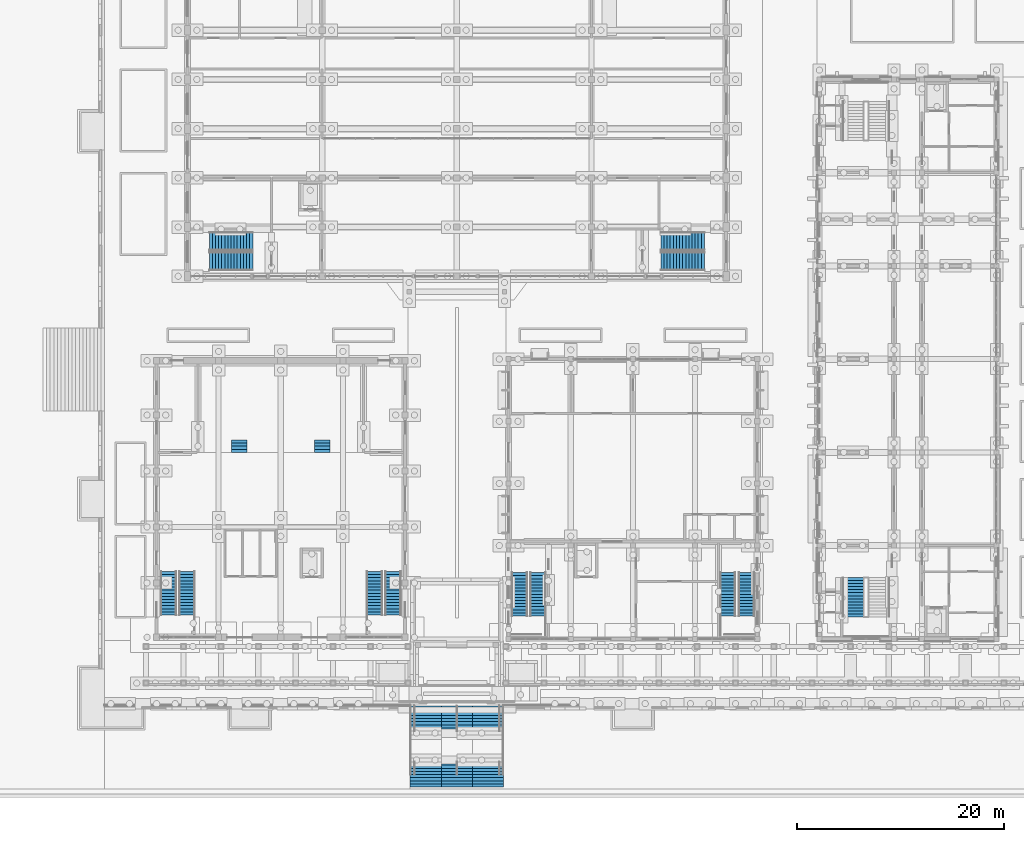
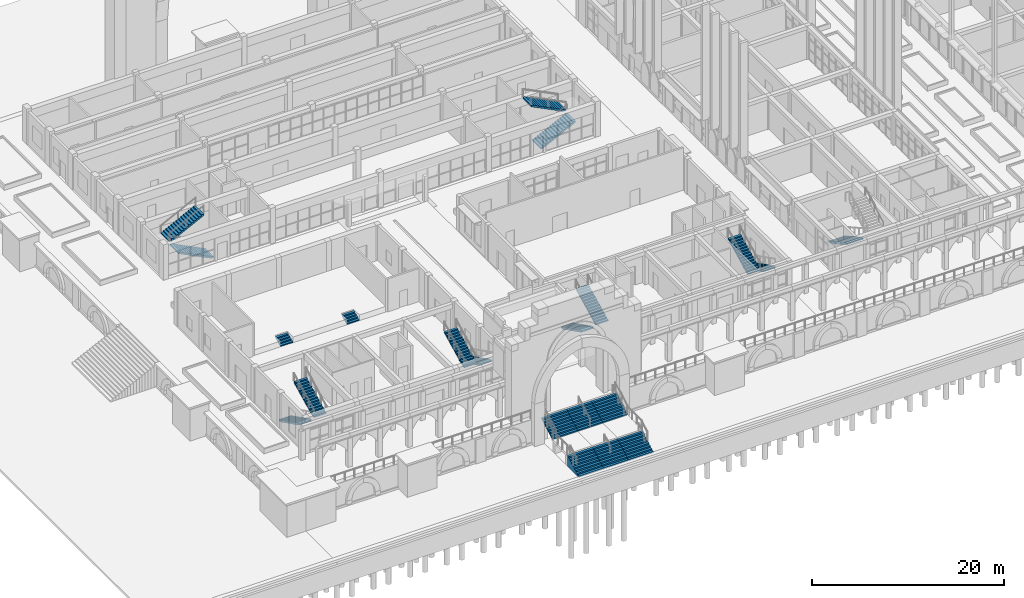
# One storey, part 75 of 161: 21 stair flights, 12 elements without a shape of their own.
"""IFC4 building model written with IfcOpenShell, lengths in metres."""

from ifc_helpers import new_model, si_unit, direction, frame, origin, place, context, subcontext, project, spatial, polyline, outline, extrude, material, layer, layer_set, type_object, element, aggregate, save


model = new_model("IFC4")

# Units and contexts
model_context = context("Model", 3, precision=1e-05, world=origin(), true_north=direction((0.0, 1.0)))
body_context = subcontext(model_context, "Body", "Model", "MODEL_VIEW")
ifc_project = project(units=[si_unit("LENGTHUNIT", "METRE"), si_unit("AREAUNIT", "SQUARE_METRE"), si_unit("VOLUMEUNIT", "CUBIC_METRE"), si_unit("PLANEANGLEUNIT", "RADIAN"), si_unit("MASSUNIT", "GRAM", prefix="KILO")], contexts=[model_context])

# Site, building, storey
site_placement = place(None, origin())
site = spatial("IfcSite", under=ifc_project, at=site_placement, CompositionType="ELEMENT")
building_placement = place(site_placement, origin())
building = spatial("IfcBuilding", under=site, at=building_placement, Name="Elbe Cascade School", CompositionType="ELEMENT")
storey_placement = place(building_placement, origin())
storey = spatial("IfcBuildingStorey", under=building, at=storey_placement, Name="L00", CompositionType="ELEMENT", Elevation=0.0)

# Stair, stair flight
ifc_material_1 = material(Name="Concrete C30/37", Category="concrete")
stair_type_1 = type_object("IfcStairType", Name="Assembly hall stage steps", PredefinedType="STRAIGHT_RUN_STAIR", material=ifc_material_1)
stair_1_placement = place(storey_placement, origin())
stair_1 = element("IfcStair", 1, at=stair_1_placement, inside=storey, type_object=stair_type_1, Name="Assembly hall stage steps ST6", PredefinedType="STRAIGHT_RUN_STAIR")
ifc_material_2 = material(Name="Concrete C30/37", Category="concrete")
stair_flight_type_1 = type_object("IfcStairFlightType", Name="Assembly hall stage steps flight", PredefinedType="STRAIGHT", material=ifc_material_2)
stair_flight_1_placement = place(storey_placement, frame((13.0, 24.0, 0.0), z_axis=(0.0, 0.0, 1.0), x_axis=(0.0, 1.0, 0.0)))
stair_flight_1 = element("IfcStairFlight", 2, at=stair_flight_1_placement, type_object=stair_flight_type_1, Name="ST6 flight 1", NumberOfRisers=5, NumberOfTreads=4, PredefinedType="STRAIGHT", RiserHeight=0.144, TreadLength=0.3, context=body_context, shape_type="SweptSolid", body=[
    extrude(outline(polyline([(0.0, 0.0), (0.0, 0.14404296875), (0.300048828125, 0.14404296875), (0.300048828125, 0.2880859375), (0.60009765625, 0.2880859375), (0.60009765625, 0.431884765625), (0.89990234375, 0.431884765625), (0.89990234375, 0.575927734375), (1.199951171875, 0.575927734375), (1.199951171875, 0.719970703125), (1.199951171875, 0.531494140625), (0.092529296875, 0.0), (0.0, 0.0)])), frame((0.0, 0.75, 0.0), z_axis=(0.0, -1.0, 0.0), x_axis=(1.0, 0.0, 0.0)), (0.0, 0.0, 1.0), 1.5),
])
aggregate(stair_1, [stair_flight_1])

stair_2_placement = place(storey_placement, origin())
stair_2 = element("IfcStair", 3, at=stair_2_placement, inside=storey, type_object=stair_type_1, Name="Assembly hall stage steps ST6", PredefinedType="STRAIGHT_RUN_STAIR")
stair_flight_2_placement = place(storey_placement, frame((21.0, 24.0, 0.0), z_axis=(0.0, 0.0, 1.0), x_axis=(0.0, 1.0, 0.0)))
stair_flight_2 = element("IfcStairFlight", 4, at=stair_flight_2_placement, type_object=stair_flight_type_1, Name="ST6 flight 1", NumberOfRisers=5, NumberOfTreads=4, PredefinedType="STRAIGHT", RiserHeight=0.144, TreadLength=0.3, context=body_context, shape_type="SweptSolid", body=[
    extrude(outline(polyline([(0.0, 0.0), (0.0, 0.14404296875), (0.300048828125, 0.14404296875), (0.300048828125, 0.2880859375), (0.60009765625, 0.2880859375), (0.60009765625, 0.431884765625), (0.89990234375, 0.431884765625), (0.89990234375, 0.575927734375), (1.199951171875, 0.575927734375), (1.199951171875, 0.719970703125), (1.199951171875, 0.531494140625), (0.092529296875, 0.0), (0.0, 0.0)])), frame((0.0, 0.75, 0.0), z_axis=(0.0, -1.0, 0.0), x_axis=(1.0, 0.0, 0.0)), (0.0, 0.0, 1.0), 1.5),
])
aggregate(stair_2, [stair_flight_2])

# Stair, stair flights
ifc_material_3 = material(Name="Concrete C30/37", Category="concrete")
stair_type_2 = type_object("IfcStairType", Name="Assembly hall dogleg stair", PredefinedType="HALF_TURN_STAIR", material=ifc_material_3)
stair_3_placement = place(storey_placement, origin())
stair_3 = element("IfcStair", 5, at=stair_3_placement, inside=storey, type_object=stair_type_2, Name="Assembly hall dogleg stair ST5", PredefinedType="HALF_TURN_STAIR")
ifc_material_4 = material(Name="Concrete C30/37", Category="concrete")
stair_flight_type_2 = type_object("IfcStairFlightType", Name="Assembly hall stair flight", PredefinedType="STRAIGHT", material=ifc_material_4)
stair_flight_3_placement = place(storey_placement, frame((6.14990234375, 12.5, 0.0), z_axis=(0.0, 0.0, 1.0), x_axis=(0.0, -1.0, 0.0)))
stair_flight_3 = element("IfcStairFlight", 6, at=stair_flight_3_placement, type_object=stair_flight_type_2, Name="ST5 flight 1", NumberOfRisers=15, NumberOfTreads=14, PredefinedType="STRAIGHT", RiserHeight=0.15, TreadLength=0.3, context=body_context, shape_type="SweptSolid", body=[
    extrude(outline(polyline([(0.0, 0.0), (0.0, 0.14990234375), (0.300048828125, 0.14990234375), (0.300048828125, 0.300048828125), (0.60009765625, 0.300048828125), (0.60009765625, 0.449951171875), (0.89990234375, 0.449951171875), (0.89990234375, 0.60009765625), (1.199951171875, 0.60009765625), (1.199951171875, 0.75), (1.5, 0.75), (1.5, 0.89990234375), (1.800048828125, 0.89990234375), (1.800048828125, 1.050048828125), (2.10009765625, 1.050048828125), (2.10009765625, 1.199951171875), (2.39990234375, 1.199951171875), (2.39990234375, 1.35009765625), (2.699951171875, 1.35009765625), (2.699951171875, 1.5), (3.0, 1.5), (3.0, 1.64990234375), (3.300048828125, 1.64990234375), (3.300048828125, 1.800048828125), (3.60009765625, 1.800048828125), (3.60009765625, 1.949951171875), (3.89990234375, 1.949951171875), (3.89990234375, 2.10009765625), (4.199951171875, 2.10009765625), (4.199951171875, 2.25), (4.199951171875, 1.932373046875), (0.335205078125, 0.0), (0.0, 0.0)])), frame((0.0, 0.75, 0.0), z_axis=(0.0, -1.0, 0.0), x_axis=(1.0, 0.0, 0.0)), (0.0, 0.0, 1.0), 1.5),
])
stair_flight_4_placement = place(storey_placement, frame((7.949951171875, 8.300048828125, 2.25), z_axis=(0.0, 0.0, 1.0), x_axis=(0.0, 1.0, 0.0)))
stair_flight_4 = element("IfcStairFlight", 7, at=stair_flight_4_placement, type_object=stair_flight_type_2, Name="ST5 flight 2", NumberOfRisers=15, NumberOfTreads=14, PredefinedType="STRAIGHT", RiserHeight=0.15, TreadLength=0.3, context=body_context, shape_type="SweptSolid", body=[
    extrude(outline(polyline([(0.0, 0.0), (0.0, 0.14990234375), (0.300048828125, 0.14990234375), (0.300048828125, 0.300048828125), (0.60009765625, 0.300048828125), (0.60009765625, 0.449951171875), (0.89990234375, 0.449951171875), (0.89990234375, 0.60009765625), (1.199951171875, 0.60009765625), (1.199951171875, 0.75), (1.5, 0.75), (1.5, 0.89990234375), (1.800048828125, 0.89990234375), (1.800048828125, 1.050048828125), (2.10009765625, 1.050048828125), (2.10009765625, 1.199951171875), (2.39990234375, 1.199951171875), (2.39990234375, 1.35009765625), (2.699951171875, 1.35009765625), (2.699951171875, 1.5), (3.0, 1.5), (3.0, 1.64990234375), (3.300048828125, 1.64990234375), (3.300048828125, 1.800048828125), (3.60009765625, 1.800048828125), (3.60009765625, 1.949951171875), (3.89990234375, 1.949951171875), (3.89990234375, 2.10009765625), (4.199951171875, 2.10009765625), (4.199951171875, 2.25), (4.199951171875, 1.932373046875), (0.335205078125, 0.0), (0.0, 0.0)])), frame((0.0, 0.75, 0.0), z_axis=(0.0, -1.0, 0.0), x_axis=(1.0, 0.0, 0.0)), (0.0, 0.0, 1.0), 1.5),
])
aggregate(stair_3, [stair_flight_3, stair_flight_4])

stair_4_placement = place(storey_placement, origin())
stair_4 = element("IfcStair", 8, at=stair_4_placement, inside=storey, type_object=stair_type_2, Name="Assembly hall dogleg stair ST5", PredefinedType="HALF_TURN_STAIR")
stair_flight_5_placement = place(storey_placement, frame((27.85009765625, 12.5, 0.0), z_axis=(0.0, 0.0, 1.0), x_axis=(0.0, -1.0, 0.0)))
stair_flight_5 = element("IfcStairFlight", 9, at=stair_flight_5_placement, type_object=stair_flight_type_2, Name="ST5 flight 1", NumberOfRisers=15, NumberOfTreads=14, PredefinedType="STRAIGHT", RiserHeight=0.15, TreadLength=0.3, context=body_context, shape_type="SweptSolid", body=[
    extrude(outline(polyline([(0.0, 0.0), (0.0, 0.14990234375), (0.300048828125, 0.14990234375), (0.300048828125, 0.300048828125), (0.60009765625, 0.300048828125), (0.60009765625, 0.449951171875), (0.89990234375, 0.449951171875), (0.89990234375, 0.60009765625), (1.199951171875, 0.60009765625), (1.199951171875, 0.75), (1.5, 0.75), (1.5, 0.89990234375), (1.800048828125, 0.89990234375), (1.800048828125, 1.050048828125), (2.10009765625, 1.050048828125), (2.10009765625, 1.199951171875), (2.39990234375, 1.199951171875), (2.39990234375, 1.35009765625), (2.699951171875, 1.35009765625), (2.699951171875, 1.5), (3.0, 1.5), (3.0, 1.64990234375), (3.300048828125, 1.64990234375), (3.300048828125, 1.800048828125), (3.60009765625, 1.800048828125), (3.60009765625, 1.949951171875), (3.89990234375, 1.949951171875), (3.89990234375, 2.10009765625), (4.199951171875, 2.10009765625), (4.199951171875, 2.25), (4.199951171875, 1.932373046875), (0.335205078125, 0.0), (0.0, 0.0)])), frame((0.0, 0.75, 0.0), z_axis=(0.0, -1.0, 0.0), x_axis=(1.0, 0.0, 0.0)), (0.0, 0.0, 1.0), 1.5),
])
stair_flight_6_placement = place(storey_placement, frame((26.050048828125, 8.300048828125, 2.25), z_axis=(0.0, 0.0, 1.0), x_axis=(0.0, 1.0, 0.0)))
stair_flight_6 = element("IfcStairFlight", 10, at=stair_flight_6_placement, type_object=stair_flight_type_2, Name="ST5 flight 2", NumberOfRisers=15, NumberOfTreads=14, PredefinedType="STRAIGHT", RiserHeight=0.15, TreadLength=0.3, context=body_context, shape_type="SweptSolid", body=[
    extrude(outline(polyline([(0.0, 0.0), (0.0, 0.14990234375), (0.300048828125, 0.14990234375), (0.300048828125, 0.300048828125), (0.60009765625, 0.300048828125), (0.60009765625, 0.449951171875), (0.89990234375, 0.449951171875), (0.89990234375, 0.60009765625), (1.199951171875, 0.60009765625), (1.199951171875, 0.75), (1.5, 0.75), (1.5, 0.89990234375), (1.800048828125, 0.89990234375), (1.800048828125, 1.050048828125), (2.10009765625, 1.050048828125), (2.10009765625, 1.199951171875), (2.39990234375, 1.199951171875), (2.39990234375, 1.35009765625), (2.699951171875, 1.35009765625), (2.699951171875, 1.5), (3.0, 1.5), (3.0, 1.64990234375), (3.300048828125, 1.64990234375), (3.300048828125, 1.800048828125), (3.60009765625, 1.800048828125), (3.60009765625, 1.949951171875), (3.89990234375, 1.949951171875), (3.89990234375, 2.10009765625), (4.199951171875, 2.10009765625), (4.199951171875, 2.25), (4.199951171875, 1.932373046875), (0.335205078125, 0.0), (0.0, 0.0)])), frame((0.0, 0.75, 0.0), z_axis=(0.0, -1.0, 0.0), x_axis=(1.0, 0.0, 0.0)), (0.0, 0.0, 1.0), 1.5),
])
aggregate(stair_4, [stair_flight_5, stair_flight_6])

# Stair, stair flight
ifc_material_5 = material(Name="Concrete C30/37", Category="concrete")
stair_type_3 = type_object("IfcStairType", Name="Bar stair RC 150", PredefinedType="HALF_TURN_STAIR", material=ifc_material_5)
stair_5_placement = place(storey_placement, origin())
stair_5 = element("IfcStair", 11, at=stair_5_placement, inside=storey, type_object=stair_type_3, Name="Stair A0.S", PredefinedType="HALF_TURN_STAIR")
ifc_material_6 = material(Name="Concrete C30/37", Category="concrete")
stair_flight_type_3 = type_object("IfcStairFlightType", Name="Bar stair flight RC", PredefinedType="STRAIGHT", material=ifc_material_6)
stair_flight_7_placement = place(storey_placement, frame((72.27490234375, 11.89990234375, 0.0), z_axis=(0.0, 0.0, 1.0), x_axis=(0.0, -1.0, 0.0)))
stair_flight_7 = element("IfcStairFlight", 12, at=stair_flight_7_placement, type_object=stair_flight_type_3, Name="ST3 flight 1", NumberOfRisers=14, NumberOfTreads=13, PredefinedType="STRAIGHT", RiserHeight=0.160714286, TreadLength=0.29, context=body_context, shape_type="SweptSolid", body=[
    extrude(outline(polyline([(0.0, 0.0), (0.0, 0.16064453125), (0.2900390625, 0.16064453125), (0.2900390625, 0.321533203125), (0.580078125, 0.321533203125), (0.580078125, 0.482177734375), (0.8701171875, 0.482177734375), (0.8701171875, 0.642822265625), (1.159912109375, 0.642822265625), (1.159912109375, 0.803466796875), (1.449951171875, 0.803466796875), (1.449951171875, 0.96435546875), (1.739990234375, 0.96435546875), (1.739990234375, 1.125), (2.030029296875, 1.125), (2.030029296875, 1.28564453125), (2.320068359375, 1.28564453125), (2.320068359375, 1.446533203125), (2.610107421875, 1.446533203125), (2.610107421875, 1.607177734375), (2.89990234375, 1.607177734375), (2.89990234375, 1.767822265625), (3.18994140625, 1.767822265625), (3.18994140625, 1.928466796875), (3.47998046875, 1.928466796875), (3.47998046875, 2.08935546875), (3.77001953125, 2.08935546875), (3.77001953125, 2.25), (3.77001953125, 1.91796875), (0.309326171875, 0.0), (0.0, 0.0)])), frame((0.0, 0.97509765625, 0.0), z_axis=(0.0, -1.0, 0.0), x_axis=(1.0, 0.0, 0.0)), (0.0, 0.0, 1.0), 1.949951171875),
])
aggregate(stair_5, [stair_flight_7])

# Stair, stair flights
ifc_material_7 = material(Name="Concrete C30/37", Category="concrete")
stair_type_4 = type_object("IfcStairType", Name="Cafe wing dogleg stair", PredefinedType="HALF_TURN_STAIR", material=ifc_material_7)
stair_6_placement = place(storey_placement, origin())
stair_6 = element("IfcStair", 13, at=stair_6_placement, inside=storey, type_object=stair_type_4, Name="Cafe wing dogleg stair ST7", PredefinedType="HALF_TURN_STAIR")
ifc_material_8 = material(Name="Concrete C30/37", Category="concrete")
stair_flight_type_4 = type_object("IfcStairFlightType", Name="Cafe wing stair flight", PredefinedType="STRAIGHT", material=ifc_material_8)
stair_flight_8_placement = place(storey_placement, frame((40.050048828125, 12.39990234375, 0.0), z_axis=(0.0, 0.0, 1.0), x_axis=(0.0, -1.0, 0.0)))
stair_flight_8 = element("IfcStairFlight", 14, at=stair_flight_8_placement, type_object=stair_flight_type_4, Name="ST7 flight 1", NumberOfRisers=15, NumberOfTreads=14, PredefinedType="STRAIGHT", RiserHeight=0.15, TreadLength=0.3, context=body_context, shape_type="SweptSolid", body=[
    extrude(outline(polyline([(0.0, 0.0), (0.0, 0.14990234375), (0.300048828125, 0.14990234375), (0.300048828125, 0.300048828125), (0.60009765625, 0.300048828125), (0.60009765625, 0.449951171875), (0.89990234375, 0.449951171875), (0.89990234375, 0.60009765625), (1.199951171875, 0.60009765625), (1.199951171875, 0.75), (1.5, 0.75), (1.5, 0.89990234375), (1.800048828125, 0.89990234375), (1.800048828125, 1.050048828125), (2.10009765625, 1.050048828125), (2.10009765625, 1.199951171875), (2.39990234375, 1.199951171875), (2.39990234375, 1.35009765625), (2.699951171875, 1.35009765625), (2.699951171875, 1.5), (3.0, 1.5), (3.0, 1.64990234375), (3.300048828125, 1.64990234375), (3.300048828125, 1.800048828125), (3.60009765625, 1.800048828125), (3.60009765625, 1.949951171875), (3.89990234375, 1.949951171875), (3.89990234375, 2.10009765625), (4.199951171875, 2.10009765625), (4.199951171875, 2.25), (4.199951171875, 1.932373046875), (0.335205078125, 0.0), (0.0, 0.0)])), frame((0.0, 0.75, 0.0), z_axis=(0.0, -1.0, 0.0), x_axis=(1.0, 0.0, 0.0)), (0.0, 0.0, 1.0), 1.5),
])
stair_flight_9_placement = place(storey_placement, frame((41.85009765625, 8.199951171875, 2.25), z_axis=(0.0, 0.0, 1.0), x_axis=(0.0, 1.0, 0.0)))
stair_flight_9 = element("IfcStairFlight", 15, at=stair_flight_9_placement, type_object=stair_flight_type_4, Name="ST7 flight 2", NumberOfRisers=15, NumberOfTreads=14, PredefinedType="STRAIGHT", RiserHeight=0.15, TreadLength=0.3, context=body_context, shape_type="SweptSolid", body=[
    extrude(outline(polyline([(0.0, 0.0), (0.0, 0.14990234375), (0.300048828125, 0.14990234375), (0.300048828125, 0.300048828125), (0.60009765625, 0.300048828125), (0.60009765625, 0.449951171875), (0.89990234375, 0.449951171875), (0.89990234375, 0.60009765625), (1.199951171875, 0.60009765625), (1.199951171875, 0.75), (1.5, 0.75), (1.5, 0.89990234375), (1.800048828125, 0.89990234375), (1.800048828125, 1.050048828125), (2.10009765625, 1.050048828125), (2.10009765625, 1.199951171875), (2.39990234375, 1.199951171875), (2.39990234375, 1.35009765625), (2.699951171875, 1.35009765625), (2.699951171875, 1.5), (3.0, 1.5), (3.0, 1.64990234375), (3.300048828125, 1.64990234375), (3.300048828125, 1.800048828125), (3.60009765625, 1.800048828125), (3.60009765625, 1.949951171875), (3.89990234375, 1.949951171875), (3.89990234375, 2.10009765625), (4.199951171875, 2.10009765625), (4.199951171875, 2.25), (4.199951171875, 1.932373046875), (0.335205078125, 0.0), (0.0, 0.0)])), frame((0.0, 0.75, 0.0), z_axis=(0.0, -1.0, 0.0), x_axis=(1.0, 0.0, 0.0)), (0.0, 0.0, 1.0), 1.5),
])
aggregate(stair_6, [stair_flight_8, stair_flight_9])

stair_7_placement = place(storey_placement, origin())
stair_7 = element("IfcStair", 16, at=stair_7_placement, inside=storey, type_object=stair_type_4, Name="Cafe wing dogleg stair ST7", PredefinedType="HALF_TURN_STAIR")
stair_flight_10_placement = place(storey_placement, frame((61.949951171875, 12.39990234375, 0.0), z_axis=(0.0, 0.0, 1.0), x_axis=(0.0, -1.0, 0.0)))
stair_flight_10 = element("IfcStairFlight", 17, at=stair_flight_10_placement, type_object=stair_flight_type_4, Name="ST7 flight 1", NumberOfRisers=15, NumberOfTreads=14, PredefinedType="STRAIGHT", RiserHeight=0.15, TreadLength=0.3, context=body_context, shape_type="SweptSolid", body=[
    extrude(outline(polyline([(0.0, 0.0), (0.0, 0.14990234375), (0.300048828125, 0.14990234375), (0.300048828125, 0.300048828125), (0.60009765625, 0.300048828125), (0.60009765625, 0.449951171875), (0.89990234375, 0.449951171875), (0.89990234375, 0.60009765625), (1.199951171875, 0.60009765625), (1.199951171875, 0.75), (1.5, 0.75), (1.5, 0.89990234375), (1.800048828125, 0.89990234375), (1.800048828125, 1.050048828125), (2.10009765625, 1.050048828125), (2.10009765625, 1.199951171875), (2.39990234375, 1.199951171875), (2.39990234375, 1.35009765625), (2.699951171875, 1.35009765625), (2.699951171875, 1.5), (3.0, 1.5), (3.0, 1.64990234375), (3.300048828125, 1.64990234375), (3.300048828125, 1.800048828125), (3.60009765625, 1.800048828125), (3.60009765625, 1.949951171875), (3.89990234375, 1.949951171875), (3.89990234375, 2.10009765625), (4.199951171875, 2.10009765625), (4.199951171875, 2.25), (4.199951171875, 1.932373046875), (0.335205078125, 0.0), (0.0, 0.0)])), frame((0.0, 0.75, 0.0), z_axis=(0.0, -1.0, 0.0), x_axis=(1.0, 0.0, 0.0)), (0.0, 0.0, 1.0), 1.5),
])
stair_flight_11_placement = place(storey_placement, frame((60.14990234375, 8.199951171875, 2.25), z_axis=(0.0, 0.0, 1.0), x_axis=(0.0, 1.0, 0.0)))
stair_flight_11 = element("IfcStairFlight", 18, at=stair_flight_11_placement, type_object=stair_flight_type_4, Name="ST7 flight 2", NumberOfRisers=15, NumberOfTreads=14, PredefinedType="STRAIGHT", RiserHeight=0.15, TreadLength=0.3, context=body_context, shape_type="SweptSolid", body=[
    extrude(outline(polyline([(0.0, 0.0), (0.0, 0.14990234375), (0.300048828125, 0.14990234375), (0.300048828125, 0.300048828125), (0.60009765625, 0.300048828125), (0.60009765625, 0.449951171875), (0.89990234375, 0.449951171875), (0.89990234375, 0.60009765625), (1.199951171875, 0.60009765625), (1.199951171875, 0.75), (1.5, 0.75), (1.5, 0.89990234375), (1.800048828125, 0.89990234375), (1.800048828125, 1.050048828125), (2.10009765625, 1.050048828125), (2.10009765625, 1.199951171875), (2.39990234375, 1.199951171875), (2.39990234375, 1.35009765625), (2.699951171875, 1.35009765625), (2.699951171875, 1.5), (3.0, 1.5), (3.0, 1.64990234375), (3.300048828125, 1.64990234375), (3.300048828125, 1.800048828125), (3.60009765625, 1.800048828125), (3.60009765625, 1.949951171875), (3.89990234375, 1.949951171875), (3.89990234375, 2.10009765625), (4.199951171875, 2.10009765625), (4.199951171875, 2.25), (4.199951171875, 1.932373046875), (0.335205078125, 0.0), (0.0, 0.0)])), frame((0.0, 0.75, 0.0), z_axis=(0.0, -1.0, 0.0), x_axis=(1.0, 0.0, 0.0)), (0.0, 0.0, 1.0), 1.5),
])
aggregate(stair_7, [stair_flight_10, stair_flight_11])

ifc_material_9 = material(Name="Concrete C30/37", Category="concrete")
stair_type_5 = type_object("IfcStairType", Name="Hall exit stair Concrete C30/37", PredefinedType="HALF_TURN_STAIR", material=ifc_material_9)
stair_8_placement = place(storey_placement, origin())
stair_8 = element("IfcStair", 19, at=stair_8_placement, inside=storey, type_object=stair_type_5, Name="Exit stair W", PredefinedType="HALF_TURN_STAIR")
ifc_material_10 = material(Name="Concrete C30/37", Category="concrete")
ifc_layer = layer(ifc_material_10, 0.14990234375)
ifc_layer_set = layer_set([ifc_layer], Name="Concrete C30/37")
stair_flight_type_5 = type_object("IfcStairFlightType", Name="Hall stair flight Concrete C30/37", PredefinedType="STRAIGHT", material=ifc_layer_set)
stair_flight_12_placement = place(storey_placement, frame((14.300048828125, 42.449951171875, 0.0), z_axis=(0.0, 0.0, 1.0), x_axis=(-1.0, 0.0, 0.0)))
stair_flight_12 = element("IfcStairFlight", 20, at=stair_flight_12_placement, type_object=stair_flight_type_5, Name="ST4 flight 1", NumberOfRisers=15, NumberOfTreads=14, PredefinedType="STRAIGHT", RiserHeight=0.15, TreadLength=0.3, context=body_context, shape_type="SweptSolid", body=[
    extrude(outline(polyline([(0.0, 0.0), (0.0, 0.14990234375), (0.300048828125, 0.14990234375), (0.300048828125, 0.300048828125), (0.60009765625, 0.300048828125), (0.60009765625, 0.449951171875), (0.89990234375, 0.449951171875), (0.89990234375, 0.60009765625), (1.199951171875, 0.60009765625), (1.199951171875, 0.75), (1.5, 0.75), (1.5, 0.89990234375), (1.800048828125, 0.89990234375), (1.800048828125, 1.050048828125), (2.10009765625, 1.050048828125), (2.10009765625, 1.199951171875), (2.39990234375, 1.199951171875), (2.39990234375, 1.35009765625), (2.699951171875, 1.35009765625), (2.699951171875, 1.5), (3.0, 1.5), (3.0, 1.64990234375), (3.300048828125, 1.64990234375), (3.300048828125, 1.800048828125), (3.60009765625, 1.800048828125), (3.60009765625, 1.949951171875), (3.89990234375, 1.949951171875), (3.89990234375, 2.10009765625), (4.199951171875, 2.10009765625), (4.199951171875, 2.25), (4.199951171875, 1.932373046875), (0.335205078125, 0.0), (0.0, 0.0)])), frame((0.0, 0.89990234375, 0.0), z_axis=(0.0, -1.0, 0.0), x_axis=(1.0, 0.0, 0.0)), (0.0, 0.0, 1.0), 1.800048828125),
])
stair_flight_13_placement = place(storey_placement, frame((10.10009765625, 44.39990234375, 2.25), z_axis=(0.0, 0.0, 1.0), x_axis=(1.0, 0.0, 0.0)))
stair_flight_13 = element("IfcStairFlight", 21, at=stair_flight_13_placement, type_object=stair_flight_type_5, Name="ST4 flight 2", NumberOfRisers=15, NumberOfTreads=14, PredefinedType="STRAIGHT", RiserHeight=0.15, TreadLength=0.3, context=body_context, shape_type="SweptSolid", body=[
    extrude(outline(polyline([(0.0, 0.0), (0.0, 0.14990234375), (0.300048828125, 0.14990234375), (0.300048828125, 0.300048828125), (0.60009765625, 0.300048828125), (0.60009765625, 0.449951171875), (0.89990234375, 0.449951171875), (0.89990234375, 0.60009765625), (1.199951171875, 0.60009765625), (1.199951171875, 0.75), (1.5, 0.75), (1.5, 0.89990234375), (1.800048828125, 0.89990234375), (1.800048828125, 1.050048828125), (2.10009765625, 1.050048828125), (2.10009765625, 1.199951171875), (2.39990234375, 1.199951171875), (2.39990234375, 1.35009765625), (2.699951171875, 1.35009765625), (2.699951171875, 1.5), (3.0, 1.5), (3.0, 1.64990234375), (3.300048828125, 1.64990234375), (3.300048828125, 1.800048828125), (3.60009765625, 1.800048828125), (3.60009765625, 1.949951171875), (3.89990234375, 1.949951171875), (3.89990234375, 2.10009765625), (4.199951171875, 2.10009765625), (4.199951171875, 2.25), (4.199951171875, 1.932373046875), (0.335205078125, 0.0), (0.0, 0.0)])), frame((0.0, 0.89990234375, 0.0), z_axis=(0.0, -1.0, 0.0), x_axis=(1.0, 0.0, 0.0)), (0.0, 0.0, 1.0), 1.800048828125),
])
aggregate(stair_8, [stair_flight_12, stair_flight_13])

stair_9_placement = place(storey_placement, origin())
stair_9 = element("IfcStair", 22, at=stair_9_placement, inside=storey, type_object=stair_type_5, Name="Exit stair E", PredefinedType="HALF_TURN_STAIR")
stair_flight_14_placement = place(storey_placement, frame((53.699951171875, 42.449951171875, 0.0), z_axis=(0.0, 0.0, 1.0), x_axis=(1.0, 0.0, 0.0)))
stair_flight_14 = element("IfcStairFlight", 23, at=stair_flight_14_placement, type_object=stair_flight_type_5, Name="ST4 flight 1", NumberOfRisers=15, NumberOfTreads=14, PredefinedType="STRAIGHT", RiserHeight=0.15, TreadLength=0.3, context=body_context, shape_type="SweptSolid", body=[
    extrude(outline(polyline([(0.0, 0.0), (0.0, 0.14990234375), (0.300048828125, 0.14990234375), (0.300048828125, 0.300048828125), (0.60009765625, 0.300048828125), (0.60009765625, 0.449951171875), (0.89990234375, 0.449951171875), (0.89990234375, 0.60009765625), (1.199951171875, 0.60009765625), (1.199951171875, 0.75), (1.5, 0.75), (1.5, 0.89990234375), (1.800048828125, 0.89990234375), (1.800048828125, 1.050048828125), (2.10009765625, 1.050048828125), (2.10009765625, 1.199951171875), (2.39990234375, 1.199951171875), (2.39990234375, 1.35009765625), (2.699951171875, 1.35009765625), (2.699951171875, 1.5), (3.0, 1.5), (3.0, 1.64990234375), (3.300048828125, 1.64990234375), (3.300048828125, 1.800048828125), (3.60009765625, 1.800048828125), (3.60009765625, 1.949951171875), (3.89990234375, 1.949951171875), (3.89990234375, 2.10009765625), (4.199951171875, 2.10009765625), (4.199951171875, 2.25), (4.199951171875, 1.932373046875), (0.335205078125, 0.0), (0.0, 0.0)])), frame((0.0, 0.89990234375, 0.0), z_axis=(0.0, -1.0, 0.0), x_axis=(1.0, 0.0, 0.0)), (0.0, 0.0, 1.0), 1.800048828125),
])
stair_flight_15_placement = place(storey_placement, frame((57.89990234375, 44.39990234375, 2.25), z_axis=(0.0, 0.0, 1.0), x_axis=(-1.0, 0.0, 0.0)))
stair_flight_15 = element("IfcStairFlight", 24, at=stair_flight_15_placement, type_object=stair_flight_type_5, Name="ST4 flight 2", NumberOfRisers=15, NumberOfTreads=14, PredefinedType="STRAIGHT", RiserHeight=0.15, TreadLength=0.3, context=body_context, shape_type="SweptSolid", body=[
    extrude(outline(polyline([(0.0, 0.0), (0.0, 0.14990234375), (0.300048828125, 0.14990234375), (0.300048828125, 0.300048828125), (0.60009765625, 0.300048828125), (0.60009765625, 0.449951171875), (0.89990234375, 0.449951171875), (0.89990234375, 0.60009765625), (1.199951171875, 0.60009765625), (1.199951171875, 0.75), (1.5, 0.75), (1.5, 0.89990234375), (1.800048828125, 0.89990234375), (1.800048828125, 1.050048828125), (2.10009765625, 1.050048828125), (2.10009765625, 1.199951171875), (2.39990234375, 1.199951171875), (2.39990234375, 1.35009765625), (2.699951171875, 1.35009765625), (2.699951171875, 1.5), (3.0, 1.5), (3.0, 1.64990234375), (3.300048828125, 1.64990234375), (3.300048828125, 1.800048828125), (3.60009765625, 1.800048828125), (3.60009765625, 1.949951171875), (3.89990234375, 1.949951171875), (3.89990234375, 2.10009765625), (4.199951171875, 2.10009765625), (4.199951171875, 2.25), (4.199951171875, 1.932373046875), (0.335205078125, 0.0), (0.0, 0.0)])), frame((0.0, 0.89990234375, 0.0), z_axis=(0.0, -1.0, 0.0), x_axis=(1.0, 0.0, 0.0)), (0.0, 0.0, 1.0), 1.800048828125),
])
aggregate(stair_9, [stair_flight_14, stair_flight_15])

ifc_material_11 = material(Name="Concrete C30/37", Category="concrete")
stair_type_6 = type_object("IfcStairType", Name="River steps", PredefinedType="STRAIGHT_RUN_STAIR", material=ifc_material_11)
stair_10_placement = place(storey_placement, origin())
stair_10 = element("IfcStair", 25, at=stair_10_placement, inside=storey, type_object=stair_type_6, Name="River steps", PredefinedType="STRAIGHT_RUN_STAIR")
ifc_material_12 = material(Name="Concrete C30/37", Category="concrete")
stair_flight_type_6 = type_object("IfcStairFlightType", Name="River steps flight", PredefinedType="STRAIGHT", material=ifc_material_12)
stair_flight_16_placement = place(storey_placement, frame((31.0, -8.300048828125, -3.10009765625), z_axis=(0.0, 0.0, 1.0), x_axis=(0.0, 1.0, 0.0)))
stair_flight_16 = element("IfcStairFlight", 26, at=stair_flight_16_placement, type_object=stair_flight_type_6, Name="ST1 flight 1", NumberOfRisers=9, NumberOfTreads=8, PredefinedType="STRAIGHT", RiserHeight=0.172222222, TreadLength=0.3, context=body_context, shape_type="SweptSolid", body=[
    extrude(outline(polyline([(0.0, 0.0), (0.0, 0.172119140625), (0.300048828125, 0.172119140625), (0.300048828125, 0.344482421875), (0.60009765625, 0.344482421875), (0.60009765625, 0.5166015625), (0.89990234375, 0.5166015625), (0.89990234375, 0.68896484375), (1.199951171875, 0.68896484375), (1.199951171875, 0.861083984375), (1.5, 0.861083984375), (1.5, 1.033447265625), (1.800048828125, 1.033447265625), (1.800048828125, 1.20556640625), (2.10009765625, 1.20556640625), (2.10009765625, 1.377685546875), (2.39990234375, 1.377685546875), (2.39990234375, 1.550048828125), (2.39990234375, 0.013916015625), (2.3759765625, 0.0), (0.0, 0.0)])), frame((0.0, 1.5, 0.0), z_axis=(0.0, -1.0, 0.0), x_axis=(1.0, 0.0, 0.0)), (0.0, 0.0, 1.0), 3.0),
])
stair_flight_17_placement = place(storey_placement, frame((31.0, -2.89990234375, -1.550048828125), z_axis=(0.0, 0.0, 1.0), x_axis=(0.0, 1.0, 0.0)))
stair_flight_17 = element("IfcStairFlight", 27, at=stair_flight_17_placement, type_object=stair_flight_type_6, Name="ST1 flight 2", NumberOfRisers=9, NumberOfTreads=8, PredefinedType="STRAIGHT", RiserHeight=0.172222222, TreadLength=0.3, context=body_context, shape_type="SweptSolid", body=[
    extrude(outline(polyline([(0.0, 0.0), (0.0, 0.172119140625), (0.300048828125, 0.172119140625), (0.300048828125, 0.344482421875), (0.60009765625, 0.344482421875), (0.60009765625, 0.5166015625), (0.89990234375, 0.5166015625), (0.89990234375, 0.68896484375), (1.199951171875, 0.68896484375), (1.199951171875, 0.861083984375), (1.5, 0.861083984375), (1.5, 1.033447265625), (1.800048828125, 1.033447265625), (1.800048828125, 1.20556640625), (2.10009765625, 1.20556640625), (2.10009765625, 1.377685546875), (2.39990234375, 1.377685546875), (2.39990234375, 1.550048828125), (2.39990234375, 1.204833984375), (0.301025390625, 0.0), (0.0, 0.0)])), frame((0.0, 1.5, 0.0), z_axis=(0.0, -1.0, 0.0), x_axis=(1.0, 0.0, 0.0)), (0.0, 0.0, 1.0), 3.0),
])
aggregate(stair_10, [stair_flight_16, stair_flight_17])

stair_11_placement = place(storey_placement, origin())
stair_11 = element("IfcStair", 28, at=stair_11_placement, inside=storey, type_object=stair_type_6, Name="River steps 2", PredefinedType="STRAIGHT_RUN_STAIR")
stair_flight_18_placement = place(storey_placement, frame((34.0, -8.300048828125, -3.10009765625), z_axis=(0.0, 0.0, 1.0), x_axis=(0.0, 1.0, 0.0)))
stair_flight_18 = element("IfcStairFlight", 29, at=stair_flight_18_placement, type_object=stair_flight_type_6, Name="ST1 flight 1", NumberOfRisers=9, NumberOfTreads=8, PredefinedType="STRAIGHT", RiserHeight=0.172222222, TreadLength=0.3, context=body_context, shape_type="SweptSolid", body=[
    extrude(outline(polyline([(0.0, 0.0), (0.0, 0.172119140625), (0.300048828125, 0.172119140625), (0.300048828125, 0.344482421875), (0.60009765625, 0.344482421875), (0.60009765625, 0.5166015625), (0.89990234375, 0.5166015625), (0.89990234375, 0.68896484375), (1.199951171875, 0.68896484375), (1.199951171875, 0.861083984375), (1.5, 0.861083984375), (1.5, 1.033447265625), (1.800048828125, 1.033447265625), (1.800048828125, 1.20556640625), (2.10009765625, 1.20556640625), (2.10009765625, 1.377685546875), (2.39990234375, 1.377685546875), (2.39990234375, 1.550048828125), (2.39990234375, 0.013916015625), (2.3759765625, 0.0), (0.0, 0.0)])), frame((0.0, 1.5, 0.0), z_axis=(0.0, -1.0, 0.0), x_axis=(1.0, 0.0, 0.0)), (0.0, 0.0, 1.0), 3.0),
])
stair_flight_19_placement = place(storey_placement, frame((34.0, -2.89990234375, -1.550048828125), z_axis=(0.0, 0.0, 1.0), x_axis=(0.0, 1.0, 0.0)))
stair_flight_19 = element("IfcStairFlight", 30, at=stair_flight_19_placement, type_object=stair_flight_type_6, Name="ST1 flight 2", NumberOfRisers=9, NumberOfTreads=8, PredefinedType="STRAIGHT", RiserHeight=0.172222222, TreadLength=0.3, context=body_context, shape_type="SweptSolid", body=[
    extrude(outline(polyline([(0.0, 0.0), (0.0, 0.172119140625), (0.300048828125, 0.172119140625), (0.300048828125, 0.344482421875), (0.60009765625, 0.344482421875), (0.60009765625, 0.5166015625), (0.89990234375, 0.5166015625), (0.89990234375, 0.68896484375), (1.199951171875, 0.68896484375), (1.199951171875, 0.861083984375), (1.5, 0.861083984375), (1.5, 1.033447265625), (1.800048828125, 1.033447265625), (1.800048828125, 1.20556640625), (2.10009765625, 1.20556640625), (2.10009765625, 1.377685546875), (2.39990234375, 1.377685546875), (2.39990234375, 1.550048828125), (2.39990234375, 1.204833984375), (0.301025390625, 0.0), (0.0, 0.0)])), frame((0.0, 1.5, 0.0), z_axis=(0.0, -1.0, 0.0), x_axis=(1.0, 0.0, 0.0)), (0.0, 0.0, 1.0), 3.0),
])
aggregate(stair_11, [stair_flight_18, stair_flight_19])

stair_12_placement = place(storey_placement, origin())
stair_12 = element("IfcStair", 31, at=stair_12_placement, inside=storey, type_object=stair_type_6, Name="River steps 3", PredefinedType="STRAIGHT_RUN_STAIR")
stair_flight_20_placement = place(storey_placement, frame((37.0, -8.300048828125, -3.10009765625), z_axis=(0.0, 0.0, 1.0), x_axis=(0.0, 1.0, 0.0)))
stair_flight_20 = element("IfcStairFlight", 32, at=stair_flight_20_placement, type_object=stair_flight_type_6, Name="ST1 flight 1", NumberOfRisers=9, NumberOfTreads=8, PredefinedType="STRAIGHT", RiserHeight=0.172222222, TreadLength=0.3, context=body_context, shape_type="SweptSolid", body=[
    extrude(outline(polyline([(0.0, 0.0), (0.0, 0.172119140625), (0.300048828125, 0.172119140625), (0.300048828125, 0.344482421875), (0.60009765625, 0.344482421875), (0.60009765625, 0.5166015625), (0.89990234375, 0.5166015625), (0.89990234375, 0.68896484375), (1.199951171875, 0.68896484375), (1.199951171875, 0.861083984375), (1.5, 0.861083984375), (1.5, 1.033447265625), (1.800048828125, 1.033447265625), (1.800048828125, 1.20556640625), (2.10009765625, 1.20556640625), (2.10009765625, 1.377685546875), (2.39990234375, 1.377685546875), (2.39990234375, 1.550048828125), (2.39990234375, 0.013916015625), (2.3759765625, 0.0), (0.0, 0.0)])), frame((0.0, 1.5, 0.0), z_axis=(0.0, -1.0, 0.0), x_axis=(1.0, 0.0, 0.0)), (0.0, 0.0, 1.0), 3.0),
])
stair_flight_21_placement = place(storey_placement, frame((37.0, -2.89990234375, -1.550048828125), z_axis=(0.0, 0.0, 1.0), x_axis=(0.0, 1.0, 0.0)))
stair_flight_21 = element("IfcStairFlight", 33, at=stair_flight_21_placement, type_object=stair_flight_type_6, Name="ST1 flight 2", NumberOfRisers=9, NumberOfTreads=8, PredefinedType="STRAIGHT", RiserHeight=0.172222222, TreadLength=0.3, context=body_context, shape_type="SweptSolid", body=[
    extrude(outline(polyline([(0.0, 0.0), (0.0, 0.172119140625), (0.300048828125, 0.172119140625), (0.300048828125, 0.344482421875), (0.60009765625, 0.344482421875), (0.60009765625, 0.5166015625), (0.89990234375, 0.5166015625), (0.89990234375, 0.68896484375), (1.199951171875, 0.68896484375), (1.199951171875, 0.861083984375), (1.5, 0.861083984375), (1.5, 1.033447265625), (1.800048828125, 1.033447265625), (1.800048828125, 1.20556640625), (2.10009765625, 1.20556640625), (2.10009765625, 1.377685546875), (2.39990234375, 1.377685546875), (2.39990234375, 1.550048828125), (2.39990234375, 1.204833984375), (0.301025390625, 0.0), (0.0, 0.0)])), frame((0.0, 1.5, 0.0), z_axis=(0.0, -1.0, 0.0), x_axis=(1.0, 0.0, 0.0)), (0.0, 0.0, 1.0), 3.0),
])
aggregate(stair_12, [stair_flight_20, stair_flight_21])

save(model, "model.ifc")
